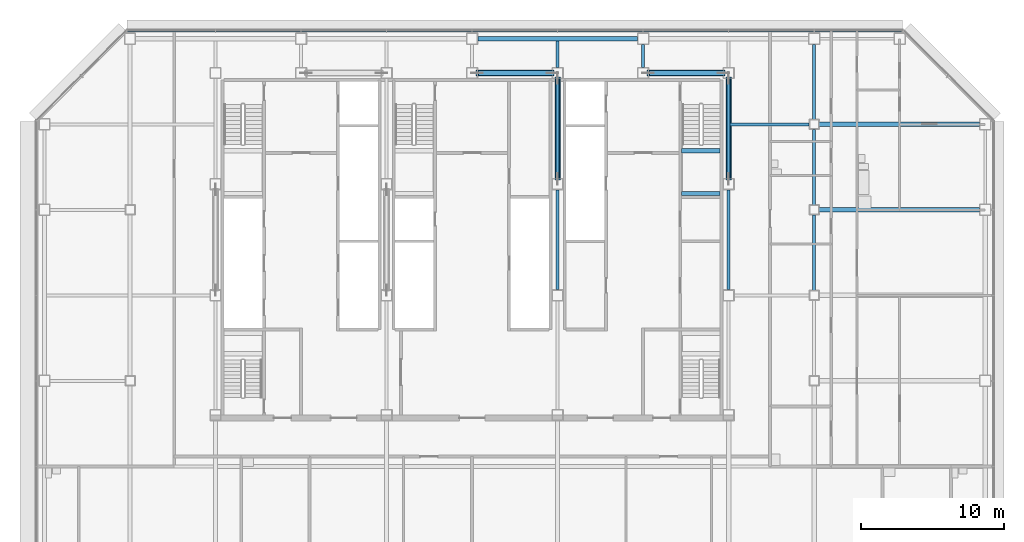
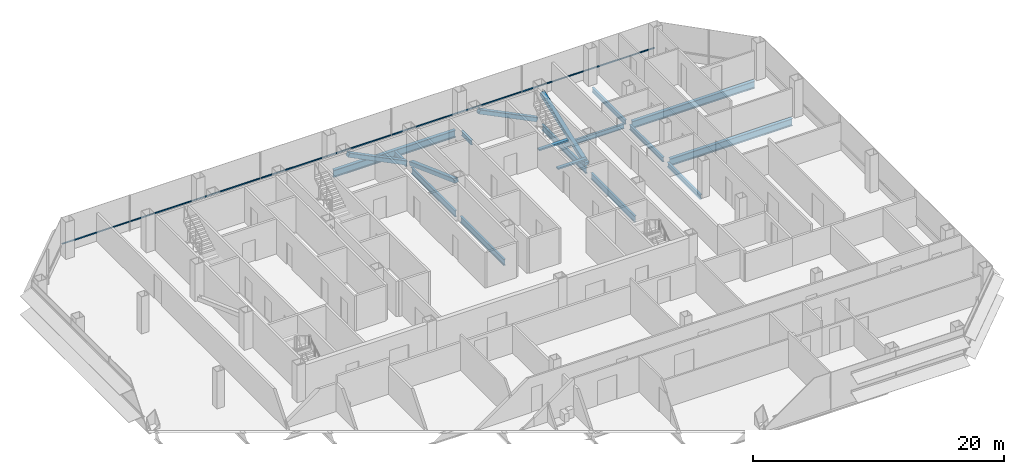
# One storey, part 13 of 25: 15 beams, 5 members, 1 element without a shape of its own.
"""IFC4 building model written with IfcOpenShell, lengths in metres."""

from ifc_helpers import new_model, si_unit, direction, frame, origin, origin_2d, place, context, subcontext, project, spatial, rectangle, hollow_rectangle, i_section, extrude, material, material_profile, profile_set, type_object, element, aggregate, save


model = new_model("IFC4")

# Units and contexts
model_context = context("Model", 3, precision=1e-05, world=origin(), true_north=direction((0.0, 1.0)))
body_context = subcontext(model_context, "Body", "Model", "MODEL_VIEW")
ifc_project = project(units=[si_unit("LENGTHUNIT", "METRE"), si_unit("AREAUNIT", "SQUARE_METRE"), si_unit("VOLUMEUNIT", "CUBIC_METRE"), si_unit("PLANEANGLEUNIT", "RADIAN"), si_unit("MASSUNIT", "GRAM", prefix="KILO")], contexts=[model_context])

# Site, building, storey
site_placement = place(None, origin())
site = spatial("IfcSite", under=ifc_project, at=site_placement, CompositionType="ELEMENT")
building_placement = place(site_placement, origin())
building = spatial("IfcBuilding", under=site, at=building_placement, Name="Sorahane Residences", CompositionType="ELEMENT")
storey_placement = place(building_placement, frame((0.0, 0.0, 99.800048828125)))
storey = spatial("IfcBuildingStorey", under=building, at=storey_placement, Name="L21", CompositionType="ELEMENT", Elevation=99.800048828125)

# Members
ifc_material_1 = material(Name="Steel Q355B", Category="steel")
ifc_material_profile_1 = material_profile(ifc_material_1, hollow_rectangle(XDim=0.39990234375, YDim=0.39990234375, WallThickness=0.02001953125, InnerFilletRadius=0.010009765625, OuterFilletRadius=0.030029296875, at=origin_2d()), Name="RHS 400x400x20")
ifc_profile_set_1 = profile_set([ifc_material_profile_1], Name="Steel Q355B")
member_type_1 = type_object("IfcMemberType", Name="Core brace RHS 400x400x20 Q355B", PredefinedType="BRACE", material=ifc_profile_set_1)
for number, where, z_axis, x_axis, name in (
    (1, (29.653076171875, 45.60009765625, 0.173583984375), (-0.896480070819, 0.0, 0.443084058192), (0.0, -1.0, 0.0), "Core brace L21 y45.6-4"),
    (2, (41.653076171875, 45.60009765625, 0.173583984375), (-0.896480070819, 0.0, 0.443084058192), (0.0, -1.0, 0.0), "Core brace L21 y45.6-6"),
):
    element("IfcMember", number, at=place(storey_placement, frame(where, z_axis=z_axis, x_axis=x_axis)), inside=storey, type_object=member_type_1, Name=name, PredefinedType="BRACE", context=body_context, shape_type="SweptSolid", body=[
        extrude(hollow_rectangle(XDim=0.39990234375, YDim=0.39990234375, WallThickness=0.02001953125, InnerFilletRadius=0.010009765625, OuterFilletRadius=0.030029296875, at=origin_2d()), origin(), (0.0, 0.0, 1.0), 5.9189453125),
    ])
for number, where, z_axis, x_axis, name in (
    (3, (42.0, 38.15869140625, 0.184814453125), (0.0, 0.938733651637, 0.344643484319), (-1.0, 0.0, 0.0), "Core brace L21 x42-3"),
    (4, (30.0, 45.241455078125, 0.184814453125), (0.0, -0.938733651637, 0.344643484319), (1.0, 0.0, 0.0), "Core brace L21 x30-2"),
):
    element("IfcMember", number, at=place(storey_placement, frame(where, z_axis=z_axis, x_axis=x_axis)), inside=storey, type_object=member_type_1, Name=name, PredefinedType="BRACE", context=body_context, shape_type="SweptSolid", body=[
        extrude(hollow_rectangle(XDim=0.39990234375, YDim=0.39990234375, WallThickness=0.02001953125, InnerFilletRadius=0.010009765625, OuterFilletRadius=0.030029296875, at=origin_2d()), origin(), (0.0, 0.0, 1.0), 7.544921875),
    ])

# Curtain wall, member
ifc_material_2 = material(Name="Dark low-e glass and black anodised aluminium", Category="aluminium")
curtain_wall_type = type_object("IfcCurtainWallType", Name="Curtain wall CW-1 Typical unitised wall", PredefinedType="NOTDEFINED", material=ifc_material_2)
curtain_wall_placement = place(storey_placement, origin())
curtain_wall = element("IfcCurtainWall", 5, at=curtain_wall_placement, inside=storey, type_object=curtain_wall_type, Name="CW-1 curtain wall L21 N1", PredefinedType="NOTDEFINED")
ifc_material_3 = material(Name="Black anodised aluminium", Category="aluminium")
ifc_material_profile_2 = material_profile(ifc_material_3, rectangle(XDim=0.10009765625, YDim=0.06005859375, at=origin_2d()), Name="Curtain wall transom CW-1 black anodised aluminium 60x100")
ifc_profile_set_2 = profile_set([ifc_material_profile_2], Name="Black anodised aluminium")
member_type_2 = type_object("IfcMemberType", Name="Curtain wall transom CW-1 black anodised aluminium 60x100", PredefinedType="USERDEFINED", material=ifc_profile_set_2)
member_placement = place(storey_placement, frame((54.198486328125, 48.530029296875, 0.89990234375), z_axis=(-1.0, 0.0, 0.0), x_axis=(0.0, -1.0, 0.0)))
member = element("IfcMember", 6, at=member_placement, type_object=member_type_2, Name="CW-1 transom L21 N1", ObjectType="TRANSOM", PredefinedType="USERDEFINED", context=body_context, shape_type="SweptSolid", body=[
    extrude(rectangle(XDim=0.10009765625, YDim=0.06005859375, at=origin_2d()), origin(), (0.0, 0.0, 1.0), 54.39697265625),
])
aggregate(curtain_wall, [member])

# Beams
ifc_material_4 = material(Name="Concrete C40", Category="concrete")
ifc_material_profile_3 = material_profile(ifc_material_4, rectangle(XDim=0.300048828125, YDim=0.139892578125, at=origin_2d()), Name="300x140")
ifc_profile_set_3 = profile_set([ifc_material_profile_3], Name="Concrete C40")
beam_type_1 = type_object("IfcBeamType", Name="RC landing beam 300 x 140 Concrete C40", PredefinedType="BEAM", material=ifc_profile_set_3)
for number, where, z_axis, x_axis, name in (
    (7, (38.699951171875, 37.14990234375, 1.530029296875), (1.0, 0.0, 0.0), (0.0, 1.0, 0.0), "Landing beam"),
    (8, (38.699951171875, 40.14990234375, 1.530029296875), (1.0, 0.0, 0.0), (0.0, 1.0, 0.0), "Landing beam"),
):
    element("IfcBeam", number, at=place(storey_placement, frame(where, z_axis=z_axis, x_axis=x_axis)), inside=storey, type_object=beam_type_1, Name=name, PredefinedType="BEAM", context=body_context, shape_type="SweptSolid", body=[
        extrude(rectangle(XDim=0.300048828125, YDim=0.139892578125, at=origin_2d()), origin(), (0.0, 0.0, 1.0), 2.699951171875),
    ])
ifc_material_5 = material(Name="Steel Q355B", Category="steel")
ifc_material_profile_4 = material_profile(ifc_material_5, i_section(OverallWidth=0.199951171875, OverallDepth=0.449951171875, WebThickness=0.009033203125, FlangeThickness=0.013916015625, FilletRadius=0.02001953125, at=origin_2d()), Name="HN 450x200x9x14")
ifc_profile_set_4 = profile_set([ifc_material_profile_4], Name="Steel Q355B")
beam_type_2 = type_object("IfcBeamType", Name="Steel floor beam HN 450x200x9x14 Q355B", PredefinedType="BEAM", material=ifc_profile_set_4)
beam_1_placement = place(storey_placement, frame((30.0, 46.0, -0.405029296875), z_axis=(0.0, 1.0, 0.0), x_axis=(-1.0, 0.0, 0.0)))
element("IfcBeam", 9, at=beam_1_placement, inside=storey, type_object=beam_type_2, Name="Beam L21 049", PredefinedType="BEAM", context=body_context, shape_type="SweptSolid", body=[
    extrude(i_section(OverallWidth=0.199951171875, OverallDepth=0.449951171875, WebThickness=0.009033203125, FlangeThickness=0.013916015625, FilletRadius=0.02001953125, at=origin_2d()), origin(), (0.0, 0.0, 1.0), 1.85009765625),
])
beam_2_placement = place(storey_placement, frame((36.0, 46.0, -0.405029296875), z_axis=(0.0, 1.0, 0.0), x_axis=(-1.0, 0.0, 0.0)))
element("IfcBeam", 10, at=beam_2_placement, inside=storey, type_object=beam_type_2, Name="Beam L21 051", PredefinedType="BEAM", context=body_context, shape_type="SweptSolid", body=[
    extrude(i_section(OverallWidth=0.199951171875, OverallDepth=0.449951171875, WebThickness=0.009033203125, FlangeThickness=0.013916015625, FilletRadius=0.02001953125, at=origin_2d()), origin(), (0.0, 0.0, 1.0), 1.60009765625),
])
for number, where, z_axis, x_axis, name in (
    (11, (48.0, 30.35009765625, -0.405029296875), (0.0, 1.0, 0.0), (-1.0, 0.0, 0.0), "Beam L21 061"),
    (12, (48.0, 36.35009765625, -0.405029296875), (0.0, 1.0, 0.0), (-1.0, 0.0, 0.0), "Beam L21 062"),
):
    element("IfcBeam", number, at=place(storey_placement, frame(where, z_axis=z_axis, x_axis=x_axis)), inside=storey, type_object=beam_type_2, Name=name, PredefinedType="BEAM", context=body_context, shape_type="SweptSolid", body=[
        extrude(i_section(OverallWidth=0.199951171875, OverallDepth=0.449951171875, WebThickness=0.009033203125, FlangeThickness=0.013916015625, FilletRadius=0.02001953125, at=origin_2d()), origin(), (0.0, 0.0, 1.0), 5.2998046875),
    ])
beam_3_placement = place(storey_placement, frame((48.0, 42.35009765625, -0.405029296875), z_axis=(0.0, 1.0, 0.0), x_axis=(-1.0, 0.0, 0.0)))
element("IfcBeam", 13, at=beam_3_placement, inside=storey, type_object=beam_type_2, Name="Beam L21 063", PredefinedType="BEAM", context=body_context, shape_type="SweptSolid", body=[
    extrude(i_section(OverallWidth=0.199951171875, OverallDepth=0.449951171875, WebThickness=0.009033203125, FlangeThickness=0.013916015625, FilletRadius=0.02001953125, at=origin_2d()), origin(), (0.0, 0.0, 1.0), 5.25),
])
beam_4_placement = place(storey_placement, frame((42.10009765625, 42.0, -0.405029296875), z_axis=(1.0, 0.0, 0.0), x_axis=(0.0, 1.0, 0.0)))
element("IfcBeam", 14, at=beam_4_placement, inside=storey, type_object=beam_type_2, Name="Beam L21 091", PredefinedType="BEAM", context=body_context, shape_type="SweptSolid", body=[
    extrude(i_section(OverallWidth=0.199951171875, OverallDepth=0.449951171875, WebThickness=0.009033203125, FlangeThickness=0.013916015625, FilletRadius=0.02001953125, at=origin_2d()), origin(), (0.0, 0.0, 1.0), 5.5498046875),
])
ifc_material_6 = material(Name="Steel Q355B", Category="steel")
ifc_material_profile_5 = material_profile(ifc_material_6, i_section(OverallWidth=0.199951171875, OverallDepth=0.60009765625, WebThickness=0.010986328125, FlangeThickness=0.01708984375, FilletRadius=0.02392578125, at=origin_2d()), Name="HN 600x200x11x17")
ifc_profile_set_5 = profile_set([ifc_material_profile_5], Name="Steel Q355B")
beam_type_3 = type_object("IfcBeamType", Name="Steel floor beam HN 600x200x11x17 Q355B", PredefinedType="BEAM", material=ifc_profile_set_5)
for number, where, z_axis, x_axis, name in (
    (15, (30.0, 30.39990234375, -0.47998046875), (0.0, 1.0, 0.0), (-1.0, 0.0, 0.0), "Beam L21 047"),
    (16, (30.0, 38.199951171875, -0.47998046875), (0.0, 1.0, 0.0), (-1.0, 0.0, 0.0), "Beam L21 048"),
    (17, (42.0, 30.39990234375, -0.47998046875), (0.0, 1.0, 0.0), (-1.0, 0.0, 0.0), "Beam L21 055"),
    (18, (42.0, 38.199951171875, -0.47998046875), (0.0, 1.0, 0.0), (-1.0, 0.0, 0.0), "Beam L21 056"),
):
    element("IfcBeam", number, at=place(storey_placement, frame(where, z_axis=z_axis, x_axis=x_axis)), inside=storey, type_object=beam_type_3, Name=name, PredefinedType="BEAM", context=body_context, shape_type="SweptSolid", body=[
        extrude(i_section(OverallWidth=0.199951171875, OverallDepth=0.60009765625, WebThickness=0.010986328125, FlangeThickness=0.01708984375, FilletRadius=0.02392578125, at=origin_2d()), origin(), (0.0, 0.0, 1.0), 7.0),
    ])
ifc_material_7 = material(Name="Steel Q355B", Category="steel")
ifc_material_profile_6 = material_profile(ifc_material_7, i_section(OverallWidth=0.300048828125, OverallDepth=0.699951171875, WebThickness=0.012939453125, FlangeThickness=0.02392578125, FilletRadius=0.028076171875, at=origin_2d()), Name="HN 700x300x13x24")
ifc_profile_set_6 = profile_set([ifc_material_profile_6], Name="Steel Q355B")
beam_type_4 = type_object("IfcBeamType", Name="Steel floor beam HN 700x300x13x24 Q355B", PredefinedType="BEAM", material=ifc_profile_set_6)
beam_5_placement = place(storey_placement, frame((48.35009765625, 36.0, -0.530029296875), z_axis=(1.0, 0.0, 0.0), x_axis=(0.0, 1.0, 0.0)))
element("IfcBeam", 19, at=beam_5_placement, inside=storey, type_object=beam_type_4, Name="Beam L21 014", PredefinedType="BEAM", context=body_context, shape_type="SweptSolid", body=[
    extrude(i_section(OverallWidth=0.300048828125, OverallDepth=0.699951171875, WebThickness=0.012939453125, FlangeThickness=0.02392578125, FilletRadius=0.028076171875, at=origin_2d()), origin(), (0.0, 0.0, 1.0), 11.25),
])
beam_6_placement = place(storey_placement, frame((24.39990234375, 48.0, -0.530029296875), z_axis=(1.0, 0.0, 0.0), x_axis=(0.0, 1.0, 0.0)))
element("IfcBeam", 20, at=beam_6_placement, inside=storey, type_object=beam_type_4, Name="Beam L21 017", PredefinedType="BEAM", context=body_context, shape_type="SweptSolid", body=[
    extrude(i_section(OverallWidth=0.300048828125, OverallDepth=0.699951171875, WebThickness=0.012939453125, FlangeThickness=0.02392578125, FilletRadius=0.028076171875, at=origin_2d()), origin(), (0.0, 0.0, 1.0), 11.2001953125),
])
beam_7_placement = place(storey_placement, frame((48.35009765625, 42.0, -0.530029296875), z_axis=(1.0, 0.0, 0.0), x_axis=(0.0, 1.0, 0.0)))
element("IfcBeam", 21, at=beam_7_placement, inside=storey, type_object=beam_type_4, Name="Beam L21 092", PredefinedType="BEAM", context=body_context, shape_type="SweptSolid", body=[
    extrude(i_section(OverallWidth=0.300048828125, OverallDepth=0.699951171875, WebThickness=0.012939453125, FlangeThickness=0.02392578125, FilletRadius=0.028076171875, at=origin_2d()), origin(), (0.0, 0.0, 1.0), 11.25),
])

save(model, "model.ifc")
